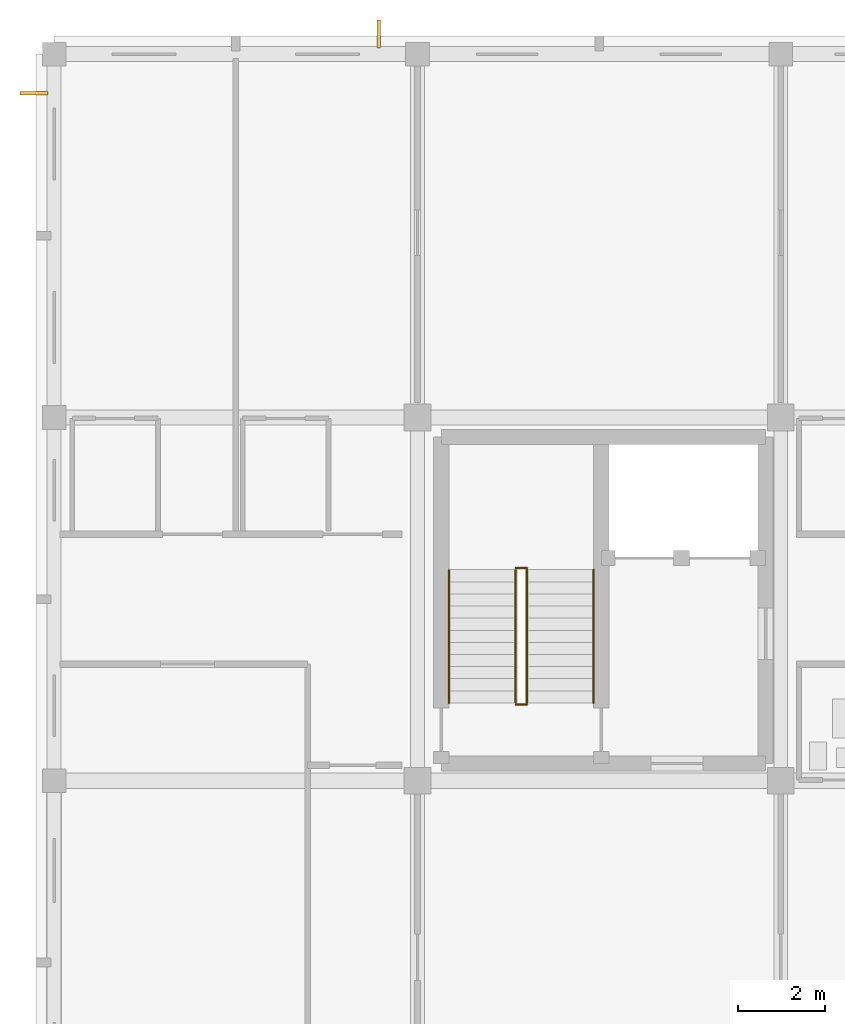
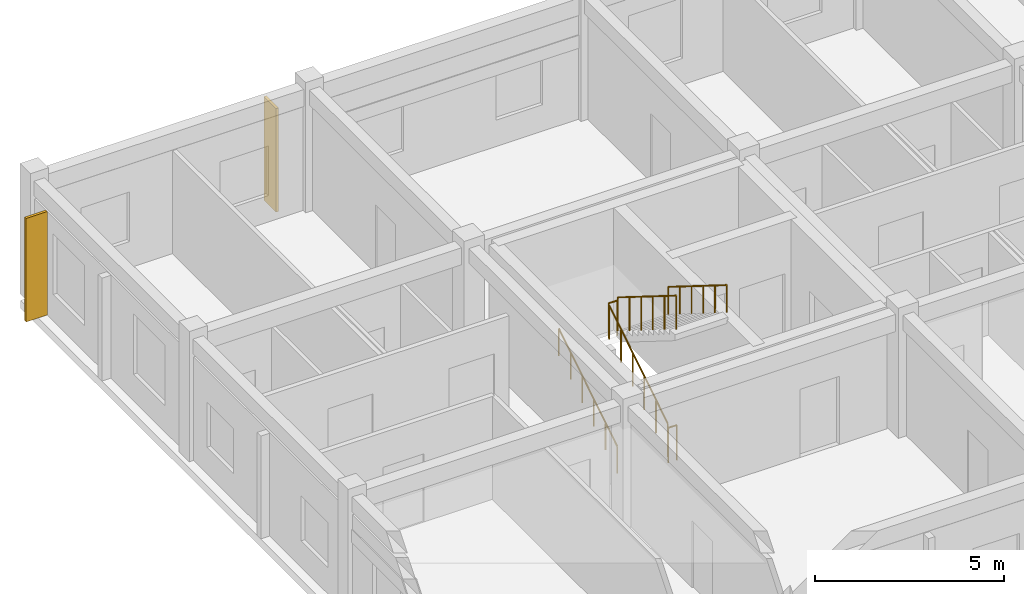
# One storey, part 18 of 21: 6 railings, 2 shading devices.
"""IFC4 building model written with IfcOpenShell, lengths in metres."""

from ifc_helpers import new_model, si_unit, direction, frame, origin, origin_2d, place, context, subcontext, project, spatial, rectangle, circle, extrude, material, type_object, element, save


model = new_model("IFC4")

# Units and contexts
model_context = context("Model", 3, precision=1e-05, world=origin(), true_north=direction((0.0, 1.0)))
body_context = subcontext(model_context, "Body", "Model", "MODEL_VIEW")
ifc_project = project(units=[si_unit("LENGTHUNIT", "METRE"), si_unit("AREAUNIT", "SQUARE_METRE"), si_unit("VOLUMEUNIT", "CUBIC_METRE"), si_unit("PLANEANGLEUNIT", "RADIAN"), si_unit("MASSUNIT", "GRAM", prefix="KILO")], contexts=[model_context])

# Site, building, storey
site_placement = place(None, origin())
site = spatial("IfcSite", under=ifc_project, at=site_placement, CompositionType="ELEMENT")
building_placement = place(site_placement, origin())
building = spatial("IfcBuilding", under=site, at=building_placement, Name="Trelvath General Hospital", CompositionType="ELEMENT")
storey_placement = place(building_placement, frame((0.0, 0.0, 28.800048828125)))
storey = spatial("IfcBuildingStorey", under=building, at=storey_placement, Name="L07", CompositionType="ELEMENT", Elevation=28.800048828125)

# Railings
ifc_material_1 = material(Name="Architectural painted steel", Category="steel")
railing_type_1 = type_object("IfcRailingType", Name="Guardrail Terrace1150", PredefinedType="GUARDRAIL", material=ifc_material_1)
railing_1_placement = place(storey_placement, frame((44.27001953125, 102.56005859375, 0.0)))
element("IfcRailing", 1, at=railing_1_placement, inside=storey, type_object=railing_type_1, Name="Stair Well Edge Guard C1 L07 42", PredefinedType="GUARDRAIL", context=body_context, shape_type="SweptSolid", body=[
    extrude(circle(Radius=0.02392578125, at=origin_2d()), frame((0.0, 0.0, 1.1259765625), z_axis=(1.0, 0.0, 0.0), x_axis=(0.0, 1.0, 0.0)), (0.0, 0.0, 1.0), 0.260009765625),
    extrude(circle(Radius=0.02099609375, at=origin_2d()), origin(), (0.0, 0.0, 1.0), 1.099853515625),
    extrude(circle(Radius=0.02099609375, at=origin_2d()), frame((0.260009765625, 0.0, 0.0)), (0.0, 0.0, 1.0), 1.099853515625),
])
railing_2_placement = place(storey_placement, frame((44.530029296875, 105.679931640625, 2.27490234375)))
element("IfcRailing", 2, at=railing_2_placement, inside=storey, type_object=railing_type_1, Name="Stair Rail ST1 L07 F2 L 44", PredefinedType="GUARDRAIL", context=body_context, shape_type="SweptSolid", body=[
    extrude(circle(Radius=0.02392578125, at=origin_2d()), frame((0.0, 0.0, 1.076171875), z_axis=(0.0, -0.847979421464, 0.530029150871), x_axis=(1.0, 0.0, 0.0)), (0.0, 0.0, 1.0), 3.632080078125),
    extrude(circle(Radius=0.02099609375, at=origin_2d()), origin(), (0.0, 0.0, 1.0), 1.050048828125),
    extrude(circle(Radius=0.02099609375, at=origin_2d()), frame((0.0, -0.615966796875, 0.385009765625)), (0.0, 0.0, 1.0), 1.050048828125),
    extrude(circle(Radius=0.02099609375, at=origin_2d()), frame((0.0, -1.23193359375, 0.77001953125)), (0.0, 0.0, 1.0), 1.050048828125),
    extrude(circle(Radius=0.02099609375, at=origin_2d()), frame((0.0, -1.847900390625, 1.155029296875)), (0.0, 0.0, 1.0), 1.050048828125),
    extrude(circle(Radius=0.02099609375, at=origin_2d()), frame((0.0, -2.4638671875, 1.5400390625)), (0.0, 0.0, 1.0), 1.050048828125),
    extrude(circle(Radius=0.02099609375, at=origin_2d()), frame((0.0, -3.079833984375, 1.925048828125)), (0.0, 0.0, 1.0), 1.050048828125),
])
railing_3_placement = place(storey_placement, frame((44.27001953125, 102.60009765625, 0.175048828125)))
element("IfcRailing", 3, at=railing_3_placement, inside=storey, type_object=railing_type_1, Name="Stair Rail ST1 L07 F1 R 45", PredefinedType="GUARDRAIL", context=body_context, shape_type="SweptSolid", body=[
    extrude(circle(Radius=0.02392578125, at=origin_2d()), frame((0.0, 0.0, 1.076171875), z_axis=(0.0, 0.848009633417, 0.529980812513), x_axis=(-1.0, 0.0, 0.0)), (0.0, 0.0, 1.0), 3.6318359375),
    extrude(circle(Radius=0.02099609375, at=origin_2d()), origin(), (0.0, 0.0, 1.0), 1.050048828125),
    extrude(circle(Radius=0.02099609375, at=origin_2d()), frame((0.0, 0.615966796875, 0.385009765625)), (0.0, 0.0, 1.0), 1.050048828125),
    extrude(circle(Radius=0.02099609375, at=origin_2d()), frame((0.0, 1.23193359375, 0.77001953125)), (0.0, 0.0, 1.0), 1.050048828125),
    extrude(circle(Radius=0.02099609375, at=origin_2d()), frame((0.0, 1.847900390625, 1.15478515625)), (0.0, 0.0, 1.0), 1.050048828125),
    extrude(circle(Radius=0.02099609375, at=origin_2d()), frame((0.0, 2.4638671875, 1.539794921875)), (0.0, 0.0, 1.0), 1.050048828125),
    extrude(circle(Radius=0.02099609375, at=origin_2d()), frame((0.0, 3.079833984375, 1.9248046875)), (0.0, 0.0, 1.0), 1.050048828125),
])
railing_4_placement = place(storey_placement, frame((44.27001953125, 105.719970703125, 2.099853515625)))
element("IfcRailing", 4, at=railing_4_placement, inside=storey, type_object=railing_type_1, Name="Half-Landing Well Guard ST1 L07 47", PredefinedType="GUARDRAIL", context=body_context, shape_type="SweptSolid", body=[
    extrude(circle(Radius=0.02392578125, at=origin_2d()), frame((0.0, 0.0, 1.1259765625), z_axis=(1.0, 0.0, 0.0), x_axis=(0.0, 1.0, 0.0)), (0.0, 0.0, 1.0), 0.260009765625),
    extrude(circle(Radius=0.02099609375, at=origin_2d()), origin(), (0.0, 0.0, 1.0), 1.099853515625),
    extrude(circle(Radius=0.02099609375, at=origin_2d()), frame((0.260009765625, 0.0, 0.0)), (0.0, 0.0, 1.0), 1.099853515625),
])
ifc_material_2 = material(Name="Brushed stainless steel", Category="steel")
railing_type_2 = type_object("IfcRailingType", Name="Handrail Stair900", PredefinedType="HANDRAIL", material=ifc_material_2)
railing_5_placement = place(storey_placement, frame((42.72998046875, 102.60009765625, 0.175048828125)))
element("IfcRailing", 5, at=railing_5_placement, inside=storey, type_object=railing_type_2, Name="Stair Rail ST1 L07 F1 L 43", PredefinedType="HANDRAIL", context=body_context, shape_type="SweptSolid", body=[
    extrude(circle(Radius=0.02392578125, at=origin_2d()), frame((0.0, 0.0, 0.8759765625), z_axis=(0.0, 0.848009633417, 0.529980812513), x_axis=(-1.0, 0.0, 0.0)), (0.0, 0.0, 1.0), 3.6318359375),
    extrude(circle(Radius=0.02099609375, at=origin_2d()), origin(), (0.0, 0.0, 1.0), 0.849853515625),
    extrude(circle(Radius=0.02099609375, at=origin_2d()), frame((0.0, 0.615966796875, 0.385009765625)), (0.0, 0.0, 1.0), 0.849853515625),
    extrude(circle(Radius=0.02099609375, at=origin_2d()), frame((0.0, 1.23193359375, 0.77001953125)), (0.0, 0.0, 1.0), 0.849853515625),
    extrude(circle(Radius=0.02099609375, at=origin_2d()), frame((0.0, 1.847900390625, 1.15478515625)), (0.0, 0.0, 1.0), 0.849853515625),
    extrude(circle(Radius=0.02099609375, at=origin_2d()), frame((0.0, 2.4638671875, 1.539794921875)), (0.0, 0.0, 1.0), 0.849853515625),
    extrude(circle(Radius=0.02099609375, at=origin_2d()), frame((0.0, 3.079833984375, 1.9248046875)), (0.0, 0.0, 1.0), 0.849853515625),
])
railing_6_placement = place(storey_placement, frame((46.070068359375, 105.679931640625, 2.27490234375)))
element("IfcRailing", 6, at=railing_6_placement, inside=storey, type_object=railing_type_2, Name="Stair Rail ST1 L07 F2 R 46", PredefinedType="HANDRAIL", context=body_context, shape_type="SweptSolid", body=[
    extrude(circle(Radius=0.02392578125, at=origin_2d()), frame((0.0, 0.0, 0.8759765625), z_axis=(0.0, -0.847979421464, 0.530029150871), x_axis=(1.0, 0.0, 0.0)), (0.0, 0.0, 1.0), 3.632080078125),
    extrude(circle(Radius=0.02099609375, at=origin_2d()), origin(), (0.0, 0.0, 1.0), 0.849853515625),
    extrude(circle(Radius=0.02099609375, at=origin_2d()), frame((0.0, -0.615966796875, 0.385009765625)), (0.0, 0.0, 1.0), 0.849853515625),
    extrude(circle(Radius=0.02099609375, at=origin_2d()), frame((0.0, -1.23193359375, 0.77001953125)), (0.0, 0.0, 1.0), 0.849853515625),
    extrude(circle(Radius=0.02099609375, at=origin_2d()), frame((0.0, -1.847900390625, 1.155029296875)), (0.0, 0.0, 1.0), 0.849853515625),
    extrude(circle(Radius=0.02099609375, at=origin_2d()), frame((0.0, -2.4638671875, 1.5400390625)), (0.0, 0.0, 1.0), 0.849853515625),
    extrude(circle(Radius=0.02099609375, at=origin_2d()), frame((0.0, -3.079833984375, 1.925048828125)), (0.0, 0.0, 1.0), 0.849853515625),
])

# Shading devices
ifc_material_3 = material(Name="Anodised aluminium", Category="aluminium")
shading_device_type = type_object("IfcShadingDeviceType", Name="SolarScreen PerforatedAlu", PredefinedType="JALOUSIE", material=ifc_material_3)
for number, where, z_axis, x_axis, name in (
    (7, (41.101318359375, 118.06494140625, 0.0), (0.0, 0.0, 1.0), (0.0, 1.0, 0.0), "Solar Brise-Soleil Screen L07-103"),
    (8, (33.135009765625, 116.701171875, 0.0), (0.0, 0.0, 1.0), (-1.0, 0.0, 0.0), "Solar Brise-Soleil Screen L07-104"),
):
    element("IfcShadingDevice", number, at=place(storey_placement, frame(where, z_axis=z_axis, x_axis=x_axis)), inside=storey, type_object=shading_device_type, Name=name, PredefinedType="JALOUSIE", context=body_context, shape_type="SweptSolid", body=[
        extrude(rectangle(XDim=0.64990234375, YDim=0.080078125, at=origin_2d()), origin(), (0.0, 0.0, 1.0), 3.340087890625),
    ])

save(model, "model.ifc")
